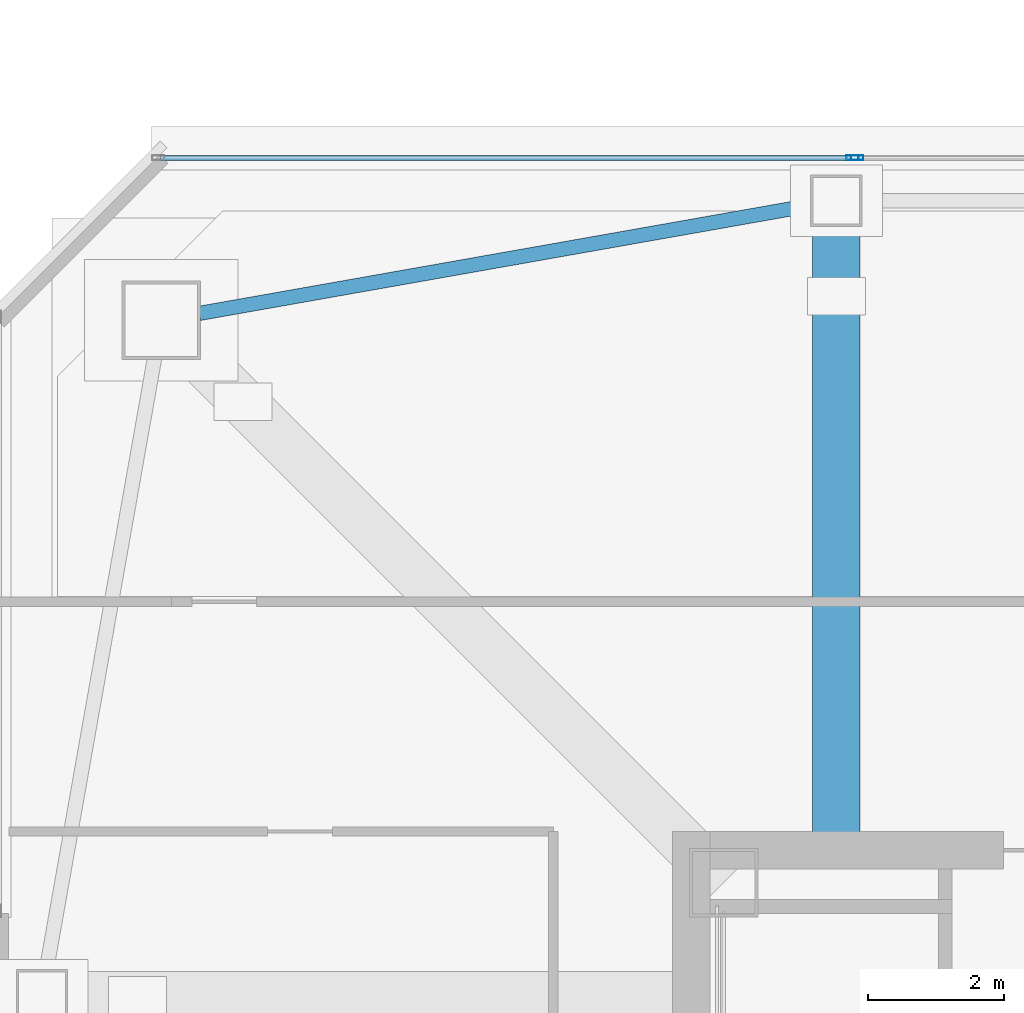
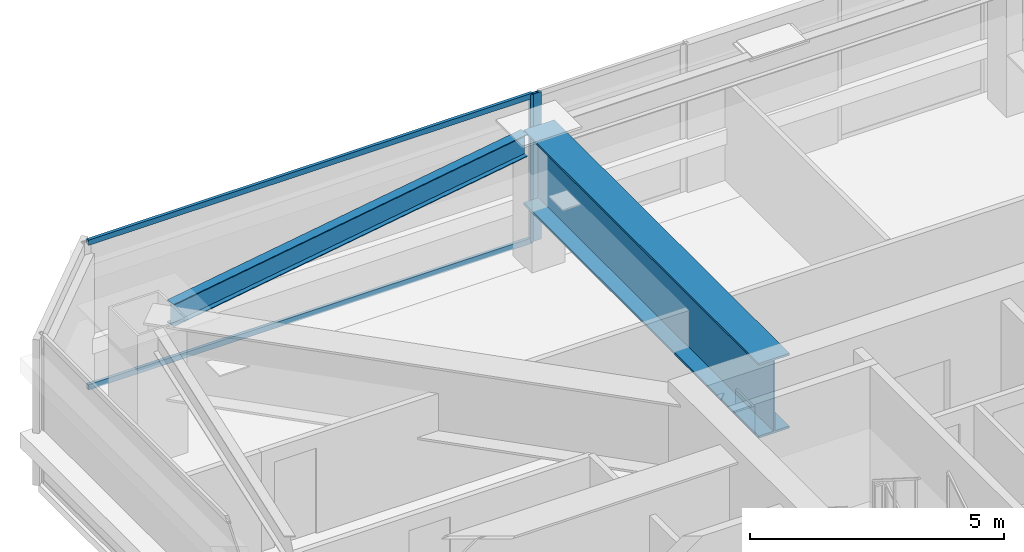
# One storey, part 12 of 42: 4 members, 2 beams, 2 elements without a shape of their own.
"""IFC4 building model written with IfcOpenShell, lengths in metres."""

from ifc_helpers import new_model, si_unit, direction, frame, origin, origin_2d, place, context, subcontext, project, spatial, hollow_rectangle, i_section, extrude, material, material_profile, profile_set, type_object, element, aggregate, save


model = new_model("IFC4")

# Units and contexts
model_context = context("Model", 3, precision=1e-05, world=origin(), true_north=direction((0.0, 1.0)))
body_context = subcontext(model_context, "Body", "Model", "MODEL_VIEW")
ifc_project = project(units=[si_unit("LENGTHUNIT", "METRE"), si_unit("AREAUNIT", "SQUARE_METRE"), si_unit("VOLUMEUNIT", "CUBIC_METRE"), si_unit("PLANEANGLEUNIT", "RADIAN"), si_unit("MASSUNIT", "GRAM", prefix="KILO")], contexts=[model_context])

# Site, building, storey
site_placement = place(None, origin())
site = spatial("IfcSite", under=ifc_project, at=site_placement, CompositionType="ELEMENT")
building_placement = place(site_placement, origin())
building = spatial("IfcBuilding", under=site, at=building_placement, Name="Tashvorn Skyway Center", CompositionType="ELEMENT")
storey_placement = place(building_placement, frame((0.0, 0.0, 196.050048828125)))
storey = spatial("IfcBuildingStorey", under=building, at=storey_placement, Name="L53", CompositionType="ELEMENT", Elevation=196.050048828125)

# Beams
ifc_material_1 = material(Name="Steel ASTM A572 Grade 50", Category="steel")
ifc_material_profile_1 = material_profile(ifc_material_1, i_section(OverallWidth=0.699951171875, OverallDepth=1.800048828125, WebThickness=0.031982421875, FlangeThickness=0.050048828125, at=origin_2d()), Name="PG1800x700")
ifc_profile_set_1 = profile_set([ifc_material_profile_1], Name="Steel ASTM A572 Grade 50")
beam_type_1 = type_object("IfcBeamType", Name="BM-BEAM-PG1800x700", PredefinedType="BEAM", material=ifc_profile_set_1)
beam_1_placement = place(storey_placement, frame((36.60009765625, 49.050048828125, 2.349853515625), z_axis=(0.0, -1.0, 0.0), x_axis=(1.0, 0.0, 0.0)))
element("IfcBeam", 1, at=beam_1_placement, inside=storey, type_object=beam_type_1, Name="Tower 1 L53 Setback Transfer Girder FC-N2", PredefinedType="BEAM", context=body_context, shape_type="SweptSolid", body=[
    extrude(i_section(OverallWidth=0.699951171875, OverallDepth=1.800048828125, WebThickness=0.031982421875, FlangeThickness=0.050048828125, at=origin_2d()), origin(), (0.0, 0.0, 1.0), 9.27001953125),
])
ifc_material_2 = material(Name="Steel ASTM A992 Grade 50", Category="steel")
ifc_material_profile_2 = material_profile(ifc_material_2, i_section(OverallWidth=0.2109375, OverallDepth=0.5390625, WebThickness=0.01171875, FlangeThickness=0.018798828125, at=origin_2d()), Name="W21X73")
ifc_profile_set_2 = profile_set([ifc_material_profile_2], Name="Steel ASTM A992 Grade 50")
beam_type_2 = type_object("IfcBeamType", Name="BM-SPANDREL-W21X73", PredefinedType="SPANDREL", material=ifc_profile_set_2)
beam_2_placement = place(storey_placement, frame((36.235595703125, 48.985595703125, 2.98046875), z_axis=(-0.984732545667, -0.174074160933, 0.0), x_axis=(0.174074160933, -0.984732545667, 0.0)))
element("IfcBeam", 2, at=beam_2_placement, inside=storey, type_object=beam_type_2, Name="Tower 1 L53 Spandrel Beam 09", PredefinedType="SPANDREL", context=body_context, shape_type="SweptSolid", body=[
    extrude(i_section(OverallWidth=0.2109375, OverallDepth=0.5390625, WebThickness=0.01171875, FlangeThickness=0.018798828125, at=origin_2d()), origin(), (0.0, 0.0, 1.0), 9.113525390625),
])

# Curtain wall, member
ifc_material_3 = material(Name="Thermally broken bronze-anodized aluminium 6063-T6", Category="aluminium")
curtain_wall_type = type_object("IfcCurtainWallType", Name="CW-CW-Z4", PredefinedType="NOTDEFINED", material=ifc_material_3)
curtain_wall_1_placement = place(storey_placement, origin())
curtain_wall_1 = element("IfcCurtainWall", 3, at=curtain_wall_1_placement, inside=storey, type_object=curtain_wall_type, Name="Tower 1 L53 North Unitised Curtain Wall Glazing Group 1", PredefinedType="NOTDEFINED")
ifc_material_profile_3 = material_profile(ifc_material_3, hollow_rectangle(XDim=0.070068359375, YDim=0.179931640625, WallThickness=0.00390625, at=origin_2d()), Name="ALU-MULL-70x180")
ifc_profile_set_3 = profile_set([ifc_material_profile_3], Name="Thermally broken bronze-anodized aluminium 6063-T6")
member_type_1 = type_object("IfcMemberType", Name="CWM-CW-Z4", PredefinedType="MULLION", material=ifc_profile_set_3)
member_1_placement = place(storey_placement, frame((36.83837890625, 49.679931640625, 0.0), z_axis=(0.0, 0.0, 1.0), x_axis=(0.0, 1.0, 0.0)))
member_1 = element("IfcMember", 4, at=member_1_placement, type_object=member_type_1, Name="CW-Z4 mullion 2", PredefinedType="MULLION", context=body_context, shape_type="SweptSolid", body=[
    extrude(hollow_rectangle(XDim=0.070068359375, YDim=0.179931640625, WallThickness=0.00390625, at=origin_2d()), origin(), (0.0, 0.0, 1.0), 3.550048828125),
])

curtain_wall_2_placement = place(storey_placement, origin())
curtain_wall_2 = element("IfcCurtainWall", 5, at=curtain_wall_2_placement, inside=storey, type_object=curtain_wall_type, Name="Tower 1 L53 North Unitised Curtain Wall Glazing Group 2", PredefinedType="NOTDEFINED")
member_2_placement = place(storey_placement, frame((36.908203125, 49.679931640625, 0.0), z_axis=(0.0, 0.0, 1.0), x_axis=(0.0, 1.0, 0.0)))
member_2 = element("IfcMember", 6, at=member_2_placement, type_object=member_type_1, Name="CW-Z4 mullion 1", PredefinedType="MULLION", context=body_context, shape_type="SweptSolid", body=[
    extrude(hollow_rectangle(XDim=0.070068359375, YDim=0.179931640625, WallThickness=0.00390625, at=origin_2d()), origin(), (0.0, 0.0, 1.0), 3.550048828125),
])
aggregate(curtain_wall_2, [member_2])

# Member
ifc_material_profile_4 = material_profile(ifc_material_3, hollow_rectangle(XDim=0.070068359375, YDim=0.1298828125, WallThickness=0.00390625, at=origin_2d()), Name="ALU-TRAN-70x130")
ifc_profile_set_4 = profile_set([ifc_material_profile_4], Name="Thermally broken bronze-anodized aluminium 6063-T6")
member_type_2 = type_object("IfcMemberType", Name="CWT-CW-Z4", PredefinedType="USERDEFINED", material=ifc_profile_set_4)
member_3_placement = place(storey_placement, frame((26.68994140625, 49.679931640625, 0.034912109375), z_axis=(1.0, 0.0, 0.0), x_axis=(0.0, 1.0, 0.0)))
member_3 = element("IfcMember", 7, at=member_3_placement, type_object=member_type_2, Name="CW-Z4 transom 1.1", ObjectType="TRANSOM", PredefinedType="USERDEFINED", context=body_context, shape_type="SweptSolid", body=[
    extrude(hollow_rectangle(XDim=0.070068359375, YDim=0.1298828125, WallThickness=0.00390625, at=origin_2d()), origin(), (0.0, 0.0, 1.0), 10.11328125),
])

member_4_placement = place(storey_placement, frame((26.68994140625, 49.679931640625, 3.514892578125), z_axis=(1.0, 0.0, 0.0), x_axis=(0.0, 1.0, 0.0)))
member_4 = element("IfcMember", 8, at=member_4_placement, type_object=member_type_2, Name="CW-Z4 transom 1.2", ObjectType="TRANSOM", PredefinedType="USERDEFINED", context=body_context, shape_type="SweptSolid", body=[
    extrude(hollow_rectangle(XDim=0.070068359375, YDim=0.1298828125, WallThickness=0.00390625, at=origin_2d()), origin(), (0.0, 0.0, 1.0), 10.11328125),
])

aggregate(curtain_wall_1, [member_1, member_3, member_4])

save(model, "model.ifc")
